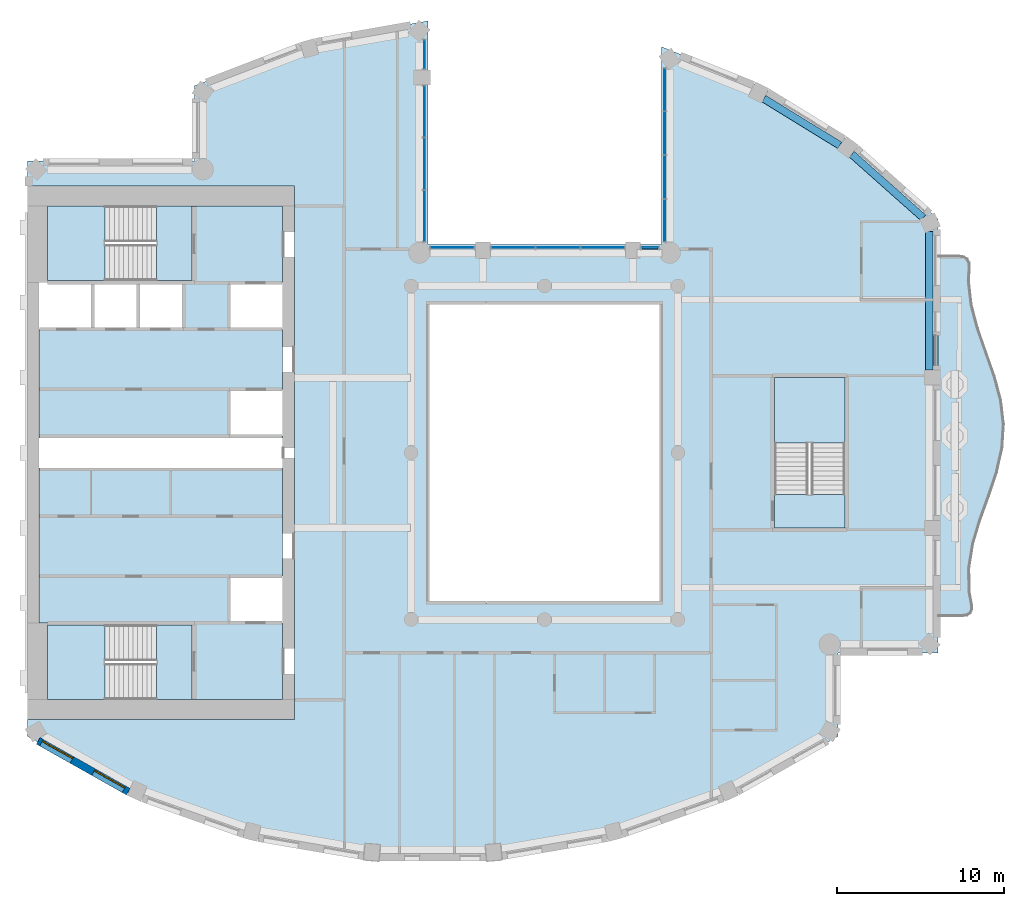
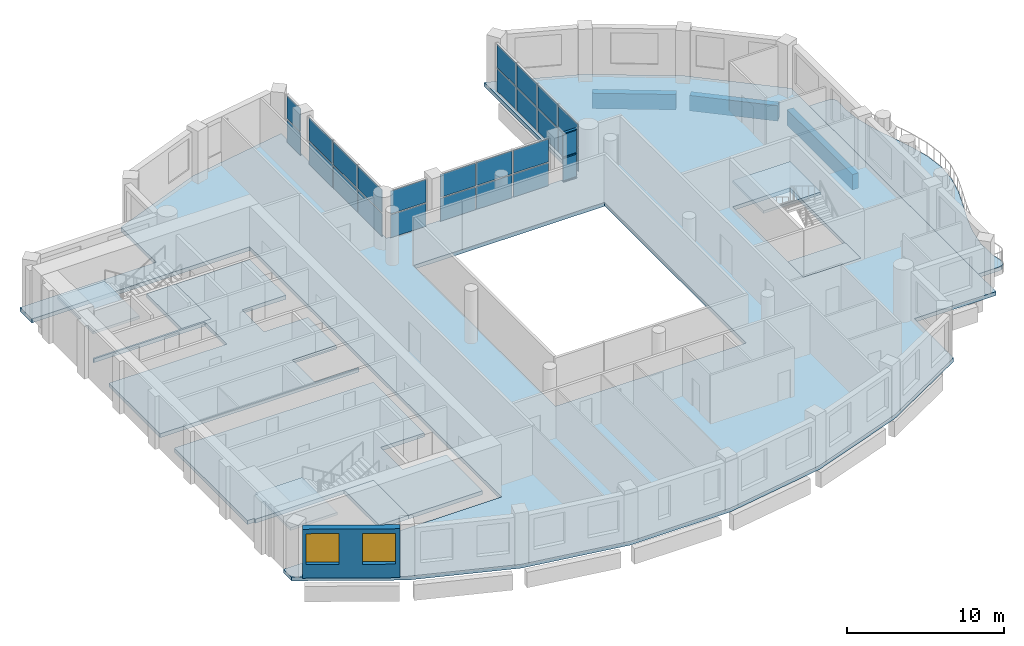
# One storey, part 3 of 14: 26 plates, 10 slabs, 3 beams, 3 members, 2 windows, 1 wall, 2 openings, 9 elements without a shape of their own.
"""IFC4 building model written with IfcOpenShell, lengths in metres."""

from ifc_helpers import new_model, si_unit, direction, frame, frame_2d, origin, origin_2d, place, context, subcontext, project, spatial, polyline, rectangle, outline, extrude, material, layer, layer_set, material_profile, profile_set, type_object, element, fill, aggregate, save


model = new_model("IFC4")

# Units and contexts
model_context = context("Model", 3, precision=1e-05, world=origin(), true_north=direction((0.0, 1.0)))
body_context = subcontext(model_context, "Body", "Model", "MODEL_VIEW")
ifc_project = project(units=[si_unit("LENGTHUNIT", "METRE"), si_unit("AREAUNIT", "SQUARE_METRE"), si_unit("VOLUMEUNIT", "CUBIC_METRE"), si_unit("PLANEANGLEUNIT", "RADIAN"), si_unit("MASSUNIT", "GRAM", prefix="KILO")], contexts=[model_context])

# Site, building, storey
site_placement = place(None, origin())
site = spatial("IfcSite", under=ifc_project, at=site_placement, CompositionType="ELEMENT")
building_placement = place(site_placement, origin())
building = spatial("IfcBuilding", under=site, at=building_placement, Name="Cypress Arch Tower", CompositionType="ELEMENT")
storey_placement = place(building_placement, frame((0.0, 0.0, 280.300048828125)))
storey = spatial("IfcBuildingStorey", under=building, at=storey_placement, Name="L63", CompositionType="ELEMENT", Elevation=280.300048828125)

# Beams
ifc_material_1 = material(Name="Concrete C50/60", Category="concrete")
ifc_material_profile_1 = material_profile(ifc_material_1, rectangle(XDim=0.449951171875, YDim=1.199951171875, at=origin_2d()), Name="RC 450x1200")
ifc_profile_set_1 = profile_set([ifc_material_profile_1], Name="Concrete C50/60")
beam_type = type_object("IfcBeamType", Name="Spandrel beam RC 450x1200 Concrete C50/60", PredefinedType="SPANDREL", material=ifc_profile_set_1)
beam_1_placement = place(storey_placement, frame((24.074951171875, 4.949951171875, -1.550048828125), z_axis=(0.0, 1.0, 0.0), x_axis=(-1.0, 0.0, 0.0)))
element("IfcBeam", 1, at=beam_1_placement, inside=storey, type_object=beam_type, Name="Spandrel beam L63 BC17-2", PredefinedType="SPANDREL", context=body_context, shape_type="SweptSolid", body=[
    extrude(rectangle(XDim=0.449951171875, YDim=1.199951171875, at=origin_2d()), origin(), (0.0, 0.0, 1.0), 8.32080078125),
])
beam_2_placement = place(storey_placement, frame((23.706298828125, 14.091796875, -1.550048828125), z_axis=(-0.747555073917, 0.664199827959, 0.0), x_axis=(-0.664199827959, -0.747555073917, 0.0)))
element("IfcBeam", 2, at=beam_2_placement, inside=storey, type_object=beam_type, Name="Spandrel beam L63 BC18-0", PredefinedType="SPANDREL", context=body_context, shape_type="SweptSolid", body=[
    extrude(rectangle(XDim=0.449951171875, YDim=1.199951171875, at=origin_2d()), origin(), (0.0, 0.0, 1.0), 5.72900390625),
])
beam_3_placement = place(storey_placement, frame((18.700927734375, 18.43359375, -1.550048828125), z_axis=(-0.851880940975, 0.523735488966, 0.0), x_axis=(-0.523735488966, -0.851880940975, 0.0)))
element("IfcBeam", 3, at=beam_3_placement, inside=storey, type_object=beam_type, Name="Spandrel beam L63 BC19-0", PredefinedType="SPANDREL", context=body_context, shape_type="SweptSolid", body=[
    extrude(rectangle(XDim=0.449951171875, YDim=1.199951171875, at=origin_2d()), origin(), (0.0, 0.0, 1.0), 5.344970703125),
])

# Curtain wall, members
ifc_material_2 = material(Name="Anodised aluminium, bronze finish, clear laminated double glazing", Category="aluminium")
curtain_wall_type = type_object("IfcCurtainWallType", Name="Curtain wall CW7 slot glazing", PredefinedType="NOTDEFINED", material=ifc_material_2)
curtain_wall_1_placement = place(storey_placement, origin())
curtain_wall_1 = element("IfcCurtainWall", 4, at=curtain_wall_1_placement, inside=storey, type_object=curtain_wall_type, Name="Curtain wall L63 slot C01.0", PredefinedType="NOTDEFINED")
ifc_material_3 = material(Name="Anodised aluminium, bronze finish", Category="aluminium")
ifc_material_profile_2 = material_profile(ifc_material_3, rectangle(XDim=0.179931640625, YDim=0.0849609375, at=origin_2d()), Name="Transom 85x180")
ifc_profile_set_2 = profile_set([ifc_material_profile_2], Name="Anodised aluminium, bronze finish")
member_type = type_object("IfcMemberType", Name="Transom CW7 85x180", PredefinedType="USERDEFINED", material=ifc_profile_set_2)
member_1_placement = place(storey_placement, frame((7.8134765625, 12.300048828125, 0.04248046875), z_axis=(-1.0, 0.0, 0.0), x_axis=(0.0, -1.0, 0.0)))
member_1 = element("IfcMember", 5, at=member_1_placement, type_object=member_type, Name="CW7 transom 1.1", ObjectType="TRANSOM", PredefinedType="USERDEFINED", context=body_context, shape_type="SweptSolid", body=[
    extrude(rectangle(XDim=0.179931640625, YDim=0.0849609375, at=origin_2d()), origin(), (0.0, 0.0, 1.0), 0.978515625),
])
member_2_placement = place(storey_placement, frame((7.8134765625, 12.300048828125, 1.89990234375), z_axis=(-1.0, 0.0, 0.0), x_axis=(0.0, -1.0, 0.0)))
member_2 = element("IfcMember", 6, at=member_2_placement, type_object=member_type, Name="CW7 transom 1.2", ObjectType="TRANSOM", PredefinedType="USERDEFINED", context=body_context, shape_type="SweptSolid", body=[
    extrude(rectangle(XDim=0.179931640625, YDim=0.0849609375, at=origin_2d()), origin(), (0.0, 0.0, 1.0), 0.978515625),
])
member_3_placement = place(storey_placement, frame((7.8134765625, 12.300048828125, 3.757568359375), z_axis=(-1.0, 0.0, 0.0), x_axis=(0.0, -1.0, 0.0)))
member_3 = element("IfcMember", 7, at=member_3_placement, type_object=member_type, Name="CW7 transom 1.3", ObjectType="TRANSOM", PredefinedType="USERDEFINED", context=body_context, shape_type="SweptSolid", body=[
    extrude(rectangle(XDim=0.179931640625, YDim=0.0849609375, at=origin_2d()), origin(), (0.0, 0.0, 1.0), 0.978515625),
])

# Slabs
ifc_material_4 = material(Name="Concrete C40/50", Category="concrete")
ifc_layer_1 = layer(ifc_material_4, 0.300048828125)
ifc_layer_set_1 = layer_set([ifc_layer_1], Name="Balcony slab BS300")
slab_type_1 = type_object("IfcSlabType", Name="Balcony slab BS300", PredefinedType="USERDEFINED", material=ifc_layer_set_1)
slab_1_placement = place(storey_placement, frame((0.0, 0.0, -0.300048828125)))
element("IfcSlab", 8, at=slab_1_placement, inside=storey, type_object=slab_type_1, Name="Balcony slab L63-C17", ObjectType="BALCONY SLAB", PredefinedType="USERDEFINED", context=body_context, shape_type="SweptSolid", body=[
    extrude(outline(polyline([(24.60009765625, -9.75), (26.051513671875, -9.75), (26.3310546875, -9.709716796875), (26.513671875, -9.5888671875), (26.599365234375, -9.38720703125), (26.588134765625, -9.10498046875), (26.4423828125, -8.316650390625), (26.42431640625, -6.88330078125), (26.657470703125, -5.449951171875), (27.085205078125, -4.0166015625), (27.602294921875, -2.583251953125), (28.081787109375, -1.14990234375), (28.40673828125, 0.283447265625), (28.4970703125, 1.716552734375), (28.33056640625, 3.14990234375), (27.9482421875, 4.583251953125), (27.44384765625, 6.0166015625), (26.94091796875, 7.449951171875), (26.562744140625, 8.88330078125), (26.402099609375, 10.316650390625), (26.455078125, 11.10498046875), (26.43359375, 11.38720703125), (26.325927734375, 11.5888671875), (26.132080078125, 11.709716796875), (25.851806640625, 11.75), (24.60009765625, 11.75), (24.60009765625, -9.75)])), origin(), (0.0, 0.0, 1.0), 0.300048828125),
])
ifc_material_5 = material(Name="Concrete C40/50", Category="concrete")
ifc_layer_2 = layer(ifc_material_5, 0.300048828125)
ifc_layer_set_2 = layer_set([ifc_layer_2], Name="Core floor CF300")
slab_type_2 = type_object("IfcSlabType", Name="Core floor CF300", PredefinedType="FLOOR", material=ifc_layer_set_2)
slab_2_placement = place(storey_placement, frame((0.0, 0.0, -0.300048828125)))
element("IfcSlab", 9, at=slab_2_placement, inside=storey, type_object=slab_type_2, Name="Core floor", PredefinedType="FLOOR", context=body_context, shape_type="SweptSolid", body=[
    extrude(outline(polyline([(-28.89990234375, -10.199951171875), (-29.300048828125, -10.199951171875), (-29.300048828125, -0.89990234375), (-28.89990234375, -0.89990234375), (-15.10009765625, -0.89990234375), (-14.699951171875, -0.89990234375), (-14.699951171875, -7.39990234375), (-15.10009765625, -7.39990234375), (-17.919921875, -7.39990234375), (-17.919921875, -10.199951171875), (-15.10009765625, -10.199951171875), (-14.699951171875, -10.199951171875), (-14.699951171875, -14.800048828125), (-15.10009765625, -14.800048828125), (-20.125, -14.800048828125), (-20.125, -10.324951171875), (-22.27490234375, -10.324951171875), (-28.800048828125, -10.324951171875), (-28.800048828125, -10.199951171875), (-28.89990234375, -10.199951171875)])), origin(), (0.0, 0.0, 1.0), 0.300048828125),
])
slab_3_placement = place(storey_placement, frame((0.0, 0.0, -0.300048828125)))
element("IfcSlab", 10, at=slab_3_placement, inside=storey, type_object=slab_type_2, Name="Core floor", PredefinedType="FLOOR", context=body_context, shape_type="SweptSolid", body=[
    extrude(outline(polyline([(-22.27490234375, -10.324951171875), (-22.27490234375, -14.800048828125), (-20.125, -14.800048828125), (-20.125, -10.324951171875), (-22.27490234375, -10.324951171875)])), origin(), (0.0, 0.0, 1.0), 0.300048828125),
])
slab_4_placement = place(storey_placement, frame((0.0, 0.0, -0.300048828125)))
element("IfcSlab", 11, at=slab_4_placement, inside=storey, type_object=slab_type_2, Name="Core floor", PredefinedType="FLOOR", context=body_context, shape_type="SweptSolid", body=[
    extrude(outline(polyline([(-20.125, 14.800048828125), (-22.27490234375, 14.800048828125), (-22.27490234375, 10.324951171875), (-20.125, 10.324951171875), (-20.125, 14.800048828125)])), origin(), (0.0, 0.0, 1.0), 0.300048828125),
])
slab_5_placement = place(storey_placement, frame((0.0, 0.0, -0.300048828125)))
element("IfcSlab", 12, at=slab_5_placement, inside=storey, type_object=slab_type_2, Name="Stair floor landing", PredefinedType="FLOOR", context=body_context, shape_type="SweptSolid", body=[
    extrude(outline(polyline([(19.0, -4.5), (19.0, -2.5), (14.800048828125, -2.5), (14.800048828125, -4.5), (19.0, -4.5)])), origin(), (0.0, 0.0, 1.0), 0.300048828125),
])
slab_6_placement = place(storey_placement, frame((0.0, 0.0, -0.300048828125)))
element("IfcSlab", 13, at=slab_6_placement, inside=storey, type_object=slab_type_2, Name="Core floor", PredefinedType="FLOOR", context=body_context, shape_type="SweptSolid", body=[
    extrude(outline(polyline([(-20.639892578125, 10.199951171875), (-23.360107421875, 10.199951171875), (-26.080078125, 10.199951171875), (-28.800048828125, 10.199951171875), (-28.800048828125, 10.324951171875), (-22.27490234375, 10.324951171875), (-20.125, 10.324951171875), (-20.125, 14.800048828125), (-15.10009765625, 14.800048828125), (-14.699951171875, 14.800048828125), (-14.699951171875, 10.199951171875), (-15.10009765625, 10.199951171875), (-17.919921875, 10.199951171875), (-17.919921875, 7.39990234375), (-15.10009765625, 7.39990234375), (-14.699951171875, 7.39990234375), (-14.699951171875, 3.800048828125), (-15.10009765625, 3.800048828125), (-17.919921875, 3.800048828125), (-17.919921875, 1.5), (-17.919921875, 1.0), (-17.5, 1.0), (-15.10009765625, 1.0), (-14.699951171875, 1.0), (-14.699951171875, 0.89990234375), (-15.10009765625, 0.89990234375), (-17.5, 0.89990234375), (-18.300048828125, 0.89990234375), (-28.89990234375, 0.89990234375), (-29.300048828125, 0.89990234375), (-29.300048828125, 1.5), (-29.300048828125, 7.39990234375), (-28.89990234375, 7.39990234375), (-26.080078125, 7.39990234375), (-23.360107421875, 7.39990234375), (-20.639892578125, 7.39990234375), (-20.639892578125, 10.199951171875)])), origin(), (0.0, 0.0, 1.0), 0.300048828125),
])

# Curtain wall, plates
curtain_wall_2_placement = place(storey_placement, origin())
curtain_wall_2 = element("IfcCurtainWall", 14, at=curtain_wall_2_placement, inside=storey, type_object=curtain_wall_type, Name="Curtain wall L63 slot C00.0", PredefinedType="NOTDEFINED")
ifc_material_6 = material(Name="Clear laminated double glazing", Category="glass")
ifc_layer_3 = layer(ifc_material_6, 0.0439453125)
ifc_layer_set_3 = layer_set([ifc_layer_3], Name="Glass panel CW7 44")
plate_type = type_object("IfcPlateType", Name="Glass panel CW7 44", PredefinedType="CURTAIN_PANEL", material=ifc_layer_set_3)
plate_1_placement = place(storey_placement, frame((8.199951171875, 21.768798828125, 0.0849609375), z_axis=(0.0, 0.0, 1.0), x_axis=(0.0, -1.0, 0.0)))
plate_1 = element("IfcPlate", 15, at=plate_1_placement, type_object=plate_type, Name="CW7 panel 1.1", PredefinedType="CURTAIN_PANEL", context=body_context, shape_type="SweptSolid", body=[
    extrude(rectangle(XDim=2.497802734375, YDim=0.0439453125, at=origin_2d()), origin(), (0.0, 0.0, 1.0), 1.7724609375),
])
plate_2_placement = place(storey_placement, frame((8.199951171875, 21.768798828125, 1.9423828125), z_axis=(0.0, 0.0, 1.0), x_axis=(0.0, -1.0, 0.0)))
plate_2 = element("IfcPlate", 16, at=plate_2_placement, type_object=plate_type, Name="CW7 panel 1.2", PredefinedType="CURTAIN_PANEL", context=body_context, shape_type="SweptSolid", body=[
    extrude(rectangle(XDim=2.497802734375, YDim=0.0439453125, at=origin_2d()), origin(), (0.0, 0.0, 1.0), 1.7724609375),
])
plate_3_placement = place(storey_placement, frame((8.199951171875, 19.164794921875, 0.0849609375), z_axis=(0.0, 0.0, 1.0), x_axis=(0.0, -1.0, 0.0)))
plate_3 = element("IfcPlate", 17, at=plate_3_placement, type_object=plate_type, Name="CW7 panel 2.1", PredefinedType="CURTAIN_PANEL", context=body_context, shape_type="SweptSolid", body=[
    extrude(rectangle(XDim=2.540283203125, YDim=0.0439453125, at=origin_2d()), origin(), (0.0, 0.0, 1.0), 1.7724609375),
])
plate_4_placement = place(storey_placement, frame((8.199951171875, 19.164794921875, 1.9423828125), z_axis=(0.0, 0.0, 1.0), x_axis=(0.0, -1.0, 0.0)))
plate_4 = element("IfcPlate", 18, at=plate_4_placement, type_object=plate_type, Name="CW7 panel 2.2", PredefinedType="CURTAIN_PANEL", context=body_context, shape_type="SweptSolid", body=[
    extrude(rectangle(XDim=2.540283203125, YDim=0.0439453125, at=origin_2d()), origin(), (0.0, 0.0, 1.0), 1.7724609375),
])
plate_5_placement = place(storey_placement, frame((8.199951171875, 16.53955078125, 0.0849609375), z_axis=(0.0, 0.0, 1.0), x_axis=(0.0, -1.0, 0.0)))
plate_5 = element("IfcPlate", 19, at=plate_5_placement, type_object=plate_type, Name="CW7 panel 3.1", PredefinedType="CURTAIN_PANEL", context=body_context, shape_type="SweptSolid", body=[
    extrude(rectangle(XDim=2.540283203125, YDim=0.0439453125, at=origin_2d()), origin(), (0.0, 0.0, 1.0), 1.7724609375),
])
plate_6_placement = place(storey_placement, frame((8.199951171875, 16.53955078125, 1.9423828125), z_axis=(0.0, 0.0, 1.0), x_axis=(0.0, -1.0, 0.0)))
plate_6 = element("IfcPlate", 20, at=plate_6_placement, type_object=plate_type, Name="CW7 panel 3.2", PredefinedType="CURTAIN_PANEL", context=body_context, shape_type="SweptSolid", body=[
    extrude(rectangle(XDim=2.540283203125, YDim=0.0439453125, at=origin_2d()), origin(), (0.0, 0.0, 1.0), 1.7724609375),
])
plate_7_placement = place(storey_placement, frame((8.199951171875, 13.935302734375, 0.0849609375), z_axis=(0.0, 0.0, 1.0), x_axis=(0.0, -1.0, 0.0)))
plate_7 = element("IfcPlate", 21, at=plate_7_placement, type_object=plate_type, Name="CW7 panel 4.1", PredefinedType="CURTAIN_PANEL", context=body_context, shape_type="SweptSolid", body=[
    extrude(rectangle(XDim=2.497802734375, YDim=0.0439453125, at=origin_2d()), origin(), (0.0, 0.0, 1.0), 1.7724609375),
])
plate_8_placement = place(storey_placement, frame((8.199951171875, 13.935302734375, 1.9423828125), z_axis=(0.0, 0.0, 1.0), x_axis=(0.0, -1.0, 0.0)))
plate_8 = element("IfcPlate", 22, at=plate_8_placement, type_object=plate_type, Name="CW7 panel 4.2", PredefinedType="CURTAIN_PANEL", context=body_context, shape_type="SweptSolid", body=[
    extrude(rectangle(XDim=2.497802734375, YDim=0.0439453125, at=origin_2d()), origin(), (0.0, 0.0, 1.0), 1.7724609375),
])
aggregate(curtain_wall_2, [plate_1, plate_2, plate_3, plate_4, plate_5, plate_6, plate_7, plate_8])

# Plate
plate_9_placement = place(storey_placement, frame((7.32421875, 12.300048828125, 0.0849609375), z_axis=(0.0, 0.0, 1.0), x_axis=(-1.0, 0.0, 0.0)))
plate_9 = element("IfcPlate", 23, at=plate_9_placement, type_object=plate_type, Name="CW7 panel 1.1", PredefinedType="CURTAIN_PANEL", context=body_context, shape_type="SweptSolid", body=[
    extrude(rectangle(XDim=0.978515625, YDim=0.0439453125, at=origin_2d()), origin(), (0.0, 0.0, 1.0), 1.7724609375),
])

plate_10_placement = place(storey_placement, frame((7.32421875, 12.300048828125, 1.9423828125), z_axis=(0.0, 0.0, 1.0), x_axis=(-1.0, 0.0, 0.0)))
plate_10 = element("IfcPlate", 24, at=plate_10_placement, type_object=plate_type, Name="CW7 panel 1.2", PredefinedType="CURTAIN_PANEL", context=body_context, shape_type="SweptSolid", body=[
    extrude(rectangle(XDim=0.978515625, YDim=0.0439453125, at=origin_2d()), origin(), (0.0, 0.0, 1.0), 1.7724609375),
])

aggregate(curtain_wall_1, [member_1, member_2, member_3, plate_9, plate_10])

# Curtain wall, plates
curtain_wall_3_placement = place(storey_placement, origin())
curtain_wall_3 = element("IfcCurtainWall", 25, at=curtain_wall_3_placement, inside=storey, type_object=curtain_wall_type, Name="Curtain wall L63 slot C01.1", PredefinedType="NOTDEFINED")
plate_11_placement = place(storey_placement, frame((4.478759765625, 12.300048828125, 0.0849609375), z_axis=(0.0, 0.0, 1.0), x_axis=(-1.0, 0.0, 0.0)))
plate_11 = element("IfcPlate", 26, at=plate_11_placement, type_object=plate_type, Name="CW7 panel 1.1", PredefinedType="CURTAIN_PANEL", context=body_context, shape_type="SweptSolid", body=[
    extrude(rectangle(XDim=2.572509765625, YDim=0.0439453125, at=origin_2d()), origin(), (0.0, 0.0, 1.0), 1.7724609375),
])
plate_12_placement = place(storey_placement, frame((4.478759765625, 12.300048828125, 1.9423828125), z_axis=(0.0, 0.0, 1.0), x_axis=(-1.0, 0.0, 0.0)))
plate_12 = element("IfcPlate", 27, at=plate_12_placement, type_object=plate_type, Name="CW7 panel 1.2", PredefinedType="CURTAIN_PANEL", context=body_context, shape_type="SweptSolid", body=[
    extrude(rectangle(XDim=2.572509765625, YDim=0.0439453125, at=origin_2d()), origin(), (0.0, 0.0, 1.0), 1.7724609375),
])
plate_13_placement = place(storey_placement, frame((1.800048828125, 12.300048828125, 0.0849609375), z_axis=(0.0, 0.0, 1.0), x_axis=(-1.0, 0.0, 0.0)))
plate_13 = element("IfcPlate", 28, at=plate_13_placement, type_object=plate_type, Name="CW7 panel 2.1", PredefinedType="CURTAIN_PANEL", context=body_context, shape_type="SweptSolid", body=[
    extrude(rectangle(XDim=2.614990234375, YDim=0.0439453125, at=origin_2d()), origin(), (0.0, 0.0, 1.0), 1.7724609375),
])
plate_14_placement = place(storey_placement, frame((1.800048828125, 12.300048828125, 1.9423828125), z_axis=(0.0, 0.0, 1.0), x_axis=(-1.0, 0.0, 0.0)))
plate_14 = element("IfcPlate", 29, at=plate_14_placement, type_object=plate_type, Name="CW7 panel 2.2", PredefinedType="CURTAIN_PANEL", context=body_context, shape_type="SweptSolid", body=[
    extrude(rectangle(XDim=2.614990234375, YDim=0.0439453125, at=origin_2d()), origin(), (0.0, 0.0, 1.0), 1.7724609375),
])
plate_15_placement = place(storey_placement, frame((-0.878662109375, 12.300048828125, 0.0849609375), z_axis=(0.0, 0.0, 1.0), x_axis=(-1.0, 0.0, 0.0)))
plate_15 = element("IfcPlate", 30, at=plate_15_placement, type_object=plate_type, Name="CW7 panel 3.1", PredefinedType="CURTAIN_PANEL", context=body_context, shape_type="SweptSolid", body=[
    extrude(rectangle(XDim=2.572509765625, YDim=0.0439453125, at=origin_2d()), origin(), (0.0, 0.0, 1.0), 1.7724609375),
])
plate_16_placement = place(storey_placement, frame((-0.878662109375, 12.300048828125, 1.9423828125), z_axis=(0.0, 0.0, 1.0), x_axis=(-1.0, 0.0, 0.0)))
plate_16 = element("IfcPlate", 31, at=plate_16_placement, type_object=plate_type, Name="CW7 panel 3.2", PredefinedType="CURTAIN_PANEL", context=body_context, shape_type="SweptSolid", body=[
    extrude(rectangle(XDim=2.572509765625, YDim=0.0439453125, at=origin_2d()), origin(), (0.0, 0.0, 1.0), 1.7724609375),
])
aggregate(curtain_wall_3, [plate_11, plate_12, plate_13, plate_14, plate_15, plate_16])

curtain_wall_4_placement = place(storey_placement, origin())
curtain_wall_4 = element("IfcCurtainWall", 32, at=curtain_wall_4_placement, inside=storey, type_object=curtain_wall_type, Name="Curtain wall L63 slot C01.2", PredefinedType="NOTDEFINED")
plate_17_placement = place(storey_placement, frame((-4.524169921875, 12.300048828125, 0.0849609375), z_axis=(0.0, 0.0, 1.0), x_axis=(-1.0, 0.0, 0.0)))
plate_17 = element("IfcPlate", 33, at=plate_17_placement, type_object=plate_type, Name="CW7 panel 1.1", PredefinedType="CURTAIN_PANEL", context=body_context, shape_type="SweptSolid", body=[
    extrude(rectangle(XDim=2.57861328125, YDim=0.0439453125, at=origin_2d()), origin(), (0.0, 0.0, 1.0), 1.7724609375),
])
plate_18_placement = place(storey_placement, frame((-4.524169921875, 12.300048828125, 1.9423828125), z_axis=(0.0, 0.0, 1.0), x_axis=(-1.0, 0.0, 0.0)))
plate_18 = element("IfcPlate", 34, at=plate_18_placement, type_object=plate_type, Name="CW7 panel 1.2", PredefinedType="CURTAIN_PANEL", context=body_context, shape_type="SweptSolid", body=[
    extrude(rectangle(XDim=2.57861328125, YDim=0.0439453125, at=origin_2d()), origin(), (0.0, 0.0, 1.0), 1.7724609375),
])
aggregate(curtain_wall_4, [plate_17, plate_18])

curtain_wall_5_placement = place(storey_placement, origin())
curtain_wall_5 = element("IfcCurtainWall", 35, at=curtain_wall_5_placement, inside=storey, type_object=curtain_wall_type, Name="Curtain wall L63 slot C02.0", PredefinedType="NOTDEFINED")
plate_19_placement = place(storey_placement, frame((-6.199951171875, 14.197509765625, 0.0849609375), z_axis=(0.0, 0.0, 1.0), x_axis=(0.0, 1.0, 0.0)))
plate_19 = element("IfcPlate", 36, at=plate_19_placement, type_object=plate_type, Name="CW7 panel 1.1", PredefinedType="CURTAIN_PANEL", context=body_context, shape_type="SweptSolid", body=[
    extrude(rectangle(XDim=3.02197265625, YDim=0.0439453125, at=origin_2d()), origin(), (0.0, 0.0, 1.0), 1.7724609375),
])
plate_20_placement = place(storey_placement, frame((-6.199951171875, 14.197509765625, 1.9423828125), z_axis=(0.0, 0.0, 1.0), x_axis=(0.0, 1.0, 0.0)))
plate_20 = element("IfcPlate", 37, at=plate_20_placement, type_object=plate_type, Name="CW7 panel 1.2", PredefinedType="CURTAIN_PANEL", context=body_context, shape_type="SweptSolid", body=[
    extrude(rectangle(XDim=3.02197265625, YDim=0.0439453125, at=origin_2d()), origin(), (0.0, 0.0, 1.0), 1.7724609375),
])
plate_21_placement = place(storey_placement, frame((-6.199951171875, 17.32568359375, 0.0849609375), z_axis=(0.0, 0.0, 1.0), x_axis=(0.0, 1.0, 0.0)))
plate_21 = element("IfcPlate", 38, at=plate_21_placement, type_object=plate_type, Name="CW7 panel 2.1", PredefinedType="CURTAIN_PANEL", context=body_context, shape_type="SweptSolid", body=[
    extrude(rectangle(XDim=3.064453125, YDim=0.0439453125, at=origin_2d()), origin(), (0.0, 0.0, 1.0), 1.7724609375),
])
plate_22_placement = place(storey_placement, frame((-6.199951171875, 17.32568359375, 1.9423828125), z_axis=(0.0, 0.0, 1.0), x_axis=(0.0, 1.0, 0.0)))
plate_22 = element("IfcPlate", 39, at=plate_22_placement, type_object=plate_type, Name="CW7 panel 2.2", PredefinedType="CURTAIN_PANEL", context=body_context, shape_type="SweptSolid", body=[
    extrude(rectangle(XDim=3.064453125, YDim=0.0439453125, at=origin_2d()), origin(), (0.0, 0.0, 1.0), 1.7724609375),
])
plate_23_placement = place(storey_placement, frame((-6.199951171875, 20.4541015625, 0.0849609375), z_axis=(0.0, 0.0, 1.0), x_axis=(0.0, 1.0, 0.0)))
plate_23 = element("IfcPlate", 40, at=plate_23_placement, type_object=plate_type, Name="CW7 panel 3.1", PredefinedType="CURTAIN_PANEL", context=body_context, shape_type="SweptSolid", body=[
    extrude(rectangle(XDim=3.02197265625, YDim=0.0439453125, at=origin_2d()), origin(), (0.0, 0.0, 1.0), 1.7724609375),
])
plate_24_placement = place(storey_placement, frame((-6.199951171875, 20.4541015625, 1.9423828125), z_axis=(0.0, 0.0, 1.0), x_axis=(0.0, 1.0, 0.0)))
plate_24 = element("IfcPlate", 41, at=plate_24_placement, type_object=plate_type, Name="CW7 panel 3.2", PredefinedType="CURTAIN_PANEL", context=body_context, shape_type="SweptSolid", body=[
    extrude(rectangle(XDim=3.02197265625, YDim=0.0439453125, at=origin_2d()), origin(), (0.0, 0.0, 1.0), 1.7724609375),
])
aggregate(curtain_wall_5, [plate_19, plate_20, plate_21, plate_22, plate_23, plate_24])

curtain_wall_6_placement = place(storey_placement, origin())
curtain_wall_6 = element("IfcCurtainWall", 42, at=curtain_wall_6_placement, inside=storey, type_object=curtain_wall_type, Name="Curtain wall L63 slot C02.1", PredefinedType="NOTDEFINED")
plate_25_placement = place(storey_placement, frame((-6.199951171875, 23.89111328125, 0.0849609375), z_axis=(0.0, 0.0, 1.0), x_axis=(0.0, 1.0, 0.0)))
plate_25 = element("IfcPlate", 43, at=plate_25_placement, type_object=plate_type, Name="CW7 panel 1.1", PredefinedType="CURTAIN_PANEL", context=body_context, shape_type="SweptSolid", body=[
    extrude(rectangle(XDim=1.71240234375, YDim=0.0439453125, at=origin_2d()), origin(), (0.0, 0.0, 1.0), 1.7724609375),
])
plate_26_placement = place(storey_placement, frame((-6.199951171875, 23.89111328125, 1.9423828125), z_axis=(0.0, 0.0, 1.0), x_axis=(0.0, 1.0, 0.0)))
plate_26 = element("IfcPlate", 44, at=plate_26_placement, type_object=plate_type, Name="CW7 panel 1.2", PredefinedType="CURTAIN_PANEL", context=body_context, shape_type="SweptSolid", body=[
    extrude(rectangle(XDim=1.71240234375, YDim=0.0439453125, at=origin_2d()), origin(), (0.0, 0.0, 1.0), 1.7724609375),
])
aggregate(curtain_wall_6, [plate_25, plate_26])

# Slab
ifc_material_7 = material(Name="Concrete C40/50", Category="concrete")
ifc_layer_4 = layer(ifc_material_7, 0.300048828125)
ifc_layer_set_4 = layer_set([ifc_layer_4], Name="PT flat slab 300 Concrete C40/50")
slab_type_3 = type_object("IfcSlabType", Name="PT flat slab 300 Concrete C40/50", PredefinedType="FLOOR", material=ifc_layer_set_4)
slab_7_placement = place(storey_placement, frame((0.0, 0.0, -0.300048828125)))
element("IfcSlab", 45, at=slab_7_placement, inside=storey, type_object=slab_type_3, Name="Floor slab L63", PredefinedType="FLOOR", context=body_context, shape_type="SweptSolid", body=[
    extrude(outline(polyline([(-30.0, 17.5), (-20.0, 17.5), (-20.0, 22.0), (-13.199951171875, 24.6201171875), (-6.0, 25.889892578125), (-6.0, 12.5), (8.0, 12.5), (8.0, 24.35009765625), (14.0, 21.93994140625), (19.39990234375, 18.6201171875), (24.60009765625, 14.0), (24.60009765625, -12.0), (18.60009765625, -12.0), (18.60009765625, -17.0), (12.179931640625, -20.6201171875), (5.239990234375, -23.090087890625), (-2.02001953125, -24.340087890625), (-9.3798828125, -24.340087890625), (-16.639892578125, -23.090087890625), (-23.580078125, -20.6201171875), (-30.0, -17.0), (-30.0, -16.0), (-14.0, -16.0), (-14.0, 16.0), (-30.0, 16.0), (-30.0, 17.5)]), holes=[polyline([(-6.0, -9.0), (8.0, -9.0), (8.0, 9.0), (-6.0, 9.0), (-6.0, -9.0)]), polyline([(14.800048828125, -4.5), (19.0, -4.5), (19.0, 4.5), (14.800048828125, 4.5), (14.800048828125, -4.5)])]), origin(), (0.0, 0.0, 1.0), 0.300048828125),
])

# Stair, slab
ifc_material_8 = material(Name="Concrete C40/50", Category="concrete")
stair_type_1 = type_object("IfcStairType", Name="Exit stair ES1708-215", PredefinedType="HALF_TURN_STAIR", material=ifc_material_8)
stair_1_placement = place(storey_placement, origin())
stair_1 = element("IfcStair", 46, at=stair_1_placement, inside=storey, type_object=stair_type_1, Name="L63 Exit stair A", PredefinedType="HALF_TURN_STAIR")
ifc_material_9 = material(Name="Concrete C40/50", Category="concrete")
ifc_layer_5 = layer(ifc_material_9, 0.199951171875)
ifc_layer_set_5 = layer_set([ifc_layer_5], Name="Stair landing SL200")
slab_type_4 = type_object("IfcSlabType", Name="Stair landing SL200", PredefinedType="LANDING", material=ifc_layer_set_5)
slab_8_placement = place(storey_placement, frame((0.0, 0.0, 1.849853515625)))
slab_8 = element("IfcSlab", 47, at=slab_8_placement, type_object=slab_type_4, Name="A landing 1", PredefinedType="LANDING", context=body_context, shape_type="SweptSolid", body=[
    extrude(outline(polyline([(-25.35498046875, -10.324951171875), (-28.800048828125, -10.324951171875), (-28.800048828125, -14.800048828125), (-25.35498046875, -14.800048828125), (-25.35498046875, -10.324951171875)])), origin(), (0.0, 0.0, 1.0), 0.2001953125),
])
aggregate(stair_1, [slab_8])

stair_2_placement = place(storey_placement, origin())
stair_2 = element("IfcStair", 48, at=stair_2_placement, inside=storey, type_object=stair_type_1, Name="L63 Exit stair B", PredefinedType="HALF_TURN_STAIR")
slab_9_placement = place(storey_placement, frame((0.0, 0.0, 1.849853515625)))
slab_9 = element("IfcSlab", 49, at=slab_9_placement, type_object=slab_type_4, Name="B landing 1", PredefinedType="LANDING", context=body_context, shape_type="SweptSolid", body=[
    extrude(outline(polyline([(-25.35498046875, 14.800048828125), (-28.800048828125, 14.800048828125), (-28.800048828125, 10.324951171875), (-25.35498046875, 10.324951171875), (-25.35498046875, 14.800048828125)])), origin(), (0.0, 0.0, 1.0), 0.2001953125),
])
aggregate(stair_2, [slab_9])

ifc_material_10 = material(Name="Concrete C40/50", Category="concrete")
stair_type_2 = type_object("IfcStairType", Name="Exit stair ES1708-200", PredefinedType="HALF_TURN_STAIR", material=ifc_material_10)
stair_3_placement = place(storey_placement, origin())
stair_3 = element("IfcStair", 50, at=stair_3_placement, inside=storey, type_object=stair_type_2, Name="L63 Exit stair C", PredefinedType="HALF_TURN_STAIR")
slab_10_placement = place(storey_placement, frame((0.0, 0.0, 1.849853515625)))
slab_10 = element("IfcSlab", 51, at=slab_10_placement, type_object=slab_type_4, Name="C landing 1", PredefinedType="LANDING", context=body_context, shape_type="SweptSolid", body=[
    extrude(outline(polyline([(19.0, 0.580078125), (19.0, 4.5), (14.800048828125, 4.5), (14.800048828125, 0.580078125), (19.0, 0.580078125)])), origin(), (0.0, 0.0, 1.0), 0.2001953125),
])
aggregate(stair_3, [slab_10])

# Wall, openings, windows
ifc_material_11 = material(Name="Brick (red buff blend)", Category="masonry")
ifc_layer_6 = layer(ifc_material_11, 0.449951171875)
ifc_layer_set_6 = layer_set([ifc_layer_6], Name="Brick pier and spandrel wall BW450")
wall_type = type_object("IfcWallType", Name="Brick pier and spandrel wall BW450", PredefinedType="SOLIDWALL", material=ifc_layer_set_6)
wall_placement = place(storey_placement, frame((-29.3564453125, -17.276611328125, 0.0), z_axis=(0.0, 0.0, 1.0), x_axis=(0.871065783524, -0.491166367714, 0.0)))
wall = element("IfcWall", 52, at=wall_placement, inside=storey, type_object=wall_type, Name="Brick wall L63 C08.0", PredefinedType="SOLIDWALL", context=body_context, shape_type="SweptSolid", body=[
    extrude(rectangle(XDim=6.1962890625, YDim=0.449951171875, at=frame_2d((3.09814453125, 0.0))), origin(), (0.0, 0.0, 1.0), 3.800048828125),
])
opening_1_placement = place(wall_placement, frame((0.22119140625, 0.0, 1.050048828125)))
opening_1 = element("IfcOpeningElement", 53, at=opening_1_placement, cuts=wall, Name="Opening W210O", PredefinedType="OPENING", context=body_context, shape_type="SweptSolid", body=[
    extrude(rectangle(XDim=2.10009765625, YDim=2.39990234375, at=frame_2d((1.050048828125, 1.199951171875))), frame((0.0, 0.23486328125, 0.0), z_axis=(0.0, -1.0, 0.0), x_axis=(1.0, 0.0, 0.0)), (0.0, 0.0, 1.0), 0.469970703125),
])
opening_2_placement = place(wall_placement, frame((3.8056640625, 0.0, 1.050048828125)))
opening_2 = element("IfcOpeningElement", 54, at=opening_2_placement, cuts=wall, Name="Opening W210O", PredefinedType="OPENING", context=body_context, shape_type="SweptSolid", body=[
    extrude(rectangle(XDim=2.10009765625, YDim=2.39990234375, at=frame_2d((1.050048828125, 1.199951171875))), frame((0.0, 0.23486328125, 0.0), z_axis=(0.0, -1.0, 0.0), x_axis=(1.0, 0.0, 0.0)), (0.0, 0.0, 1.0), 0.469970703125),
])
ifc_material_12 = material(Name="Anodised aluminium, bronze finish, clear low-emissivity double glazing", Category="aluminium")
window_type = type_object("IfcWindowType", Name="Window Office 2100x2400", PartitioningType="SINGLE_PANEL", PredefinedType="WINDOW", material=ifc_material_12)
window_1_placement = place(opening_1_placement, origin())
window_1 = element("IfcWindow", 55, at=window_1_placement, inside=storey, type_object=window_type, Name="Window L63 C08.0.1", OverallHeight=2.39990234375, OverallWidth=2.10009765625, PartitioningType="SINGLE_PANEL", PredefinedType="WINDOW", context=body_context, shape_type="SweptSolid", body=[
    extrude(rectangle(XDim=2.10009765625, YDim=2.39990234375, at=frame_2d((1.050048828125, 1.199951171875))), frame((0.0, 0.135009765625, 0.0), z_axis=(0.0, -1.0, 0.0), x_axis=(1.0, 0.0, 0.0)), (0.0, 0.0, 1.0), 0.06005859375),
])
fill(opening_1, window_1)
window_2_placement = place(opening_2_placement, origin())
window_2 = element("IfcWindow", 56, at=window_2_placement, inside=storey, type_object=window_type, Name="Window L63 C08.0.2", OverallHeight=2.39990234375, OverallWidth=2.10009765625, PartitioningType="SINGLE_PANEL", PredefinedType="WINDOW", context=body_context, shape_type="SweptSolid", body=[
    extrude(rectangle(XDim=2.10009765625, YDim=2.39990234375, at=frame_2d((1.050048828125, 1.199951171875))), frame((0.0, 0.135009765625, 0.0), z_axis=(0.0, -1.0, 0.0), x_axis=(1.0, 0.0, 0.0)), (0.0, 0.0, 1.0), 0.06005859375),
])
fill(opening_2, window_2)

save(model, "model.ifc")
